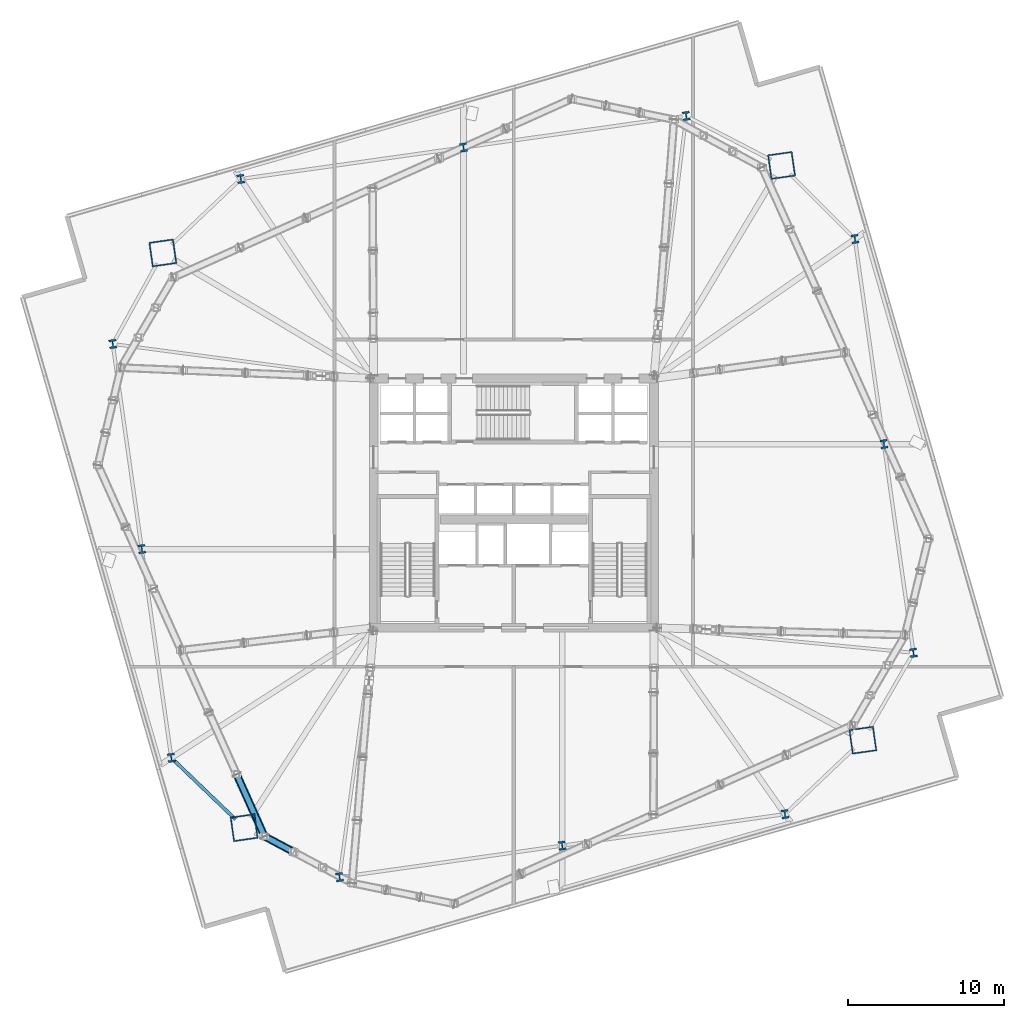
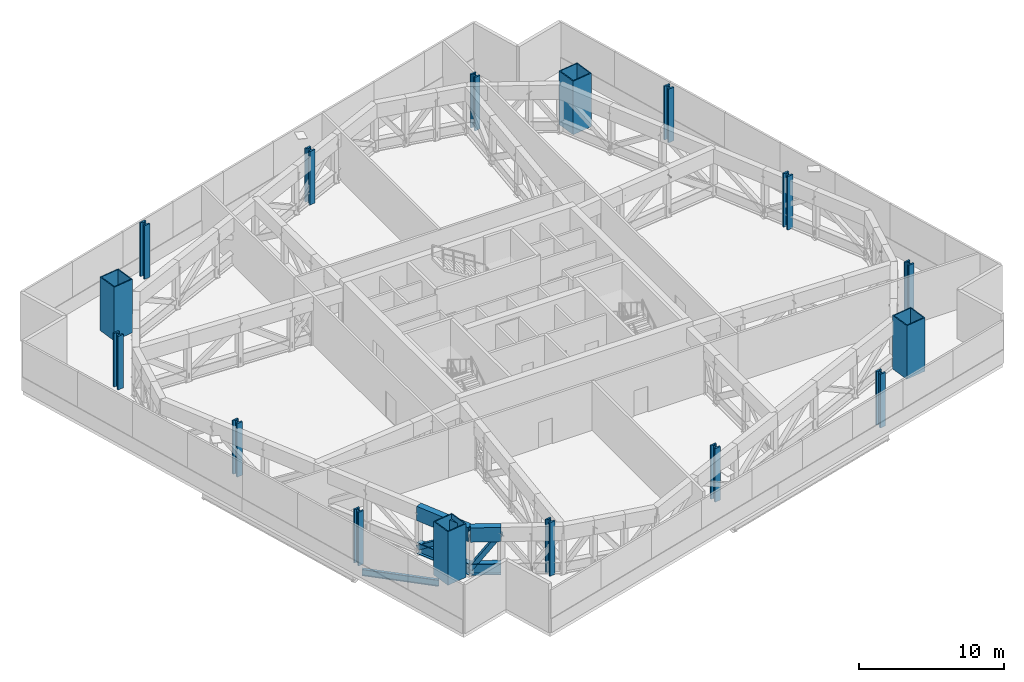
# One storey, part 1 of 19: 16 columns, 6 members, 1 beam.
"""IFC4 building model written with IfcOpenShell, lengths in metres."""

from ifc_helpers import new_model, si_unit, direction, frame, origin, origin_2d, place, context, subcontext, project, spatial, hollow_rectangle, i_section, extrude, material, material_profile, profile_set, type_object, element, save


model = new_model("IFC4")

# Units and contexts
model_context = context("Model", 3, precision=1e-05, world=origin(), true_north=direction((0.0, 1.0)))
body_context = subcontext(model_context, "Body", "Model", "MODEL_VIEW")
ifc_project = project(units=[si_unit("LENGTHUNIT", "METRE"), si_unit("AREAUNIT", "SQUARE_METRE"), si_unit("VOLUMEUNIT", "CUBIC_METRE"), si_unit("PLANEANGLEUNIT", "RADIAN"), si_unit("MASSUNIT", "GRAM", prefix="KILO")], contexts=[model_context])

# Site, building, storey
site_placement = place(None, origin())
site = spatial("IfcSite", under=ifc_project, at=site_placement, CompositionType="ELEMENT")
building_placement = place(site_placement, origin())
building = spatial("IfcBuilding", under=site, at=building_placement, Name="Haldenkirk Collegiate Tower", CompositionType="ELEMENT")
storey_placement = place(building_placement, frame((0.0, 0.0, 81.449951171875)))
storey = spatial("IfcBuildingStorey", under=building, at=storey_placement, Name="L19", CompositionType="ELEMENT", Elevation=81.449951171875)

# Columns
ifc_material_1 = material(Name="Steel ASTM A913 Grade 65", Category="steel")
ifc_material_profile_1 = material_profile(ifc_material_1, i_section(OverallWidth=0.4541015625, OverallDepth=0.569091796875, WebThickness=0.077880859375, FlangeThickness=0.124755859375, at=origin_2d()), Name="W14X730")
ifc_profile_set_1 = profile_set([ifc_material_profile_1], Name="Steel ASTM A913 Grade 65")
column_type_1 = type_object("IfcColumnType", Name="COL-INT-W14X730", PredefinedType="COLUMN", material=ifc_profile_set_1)
for number, where, z_axis, x_axis, name in (
    (1, (24.815185546875, 1.997314453125, 0.0), (0.0, 0.0, 1.0), (0.990146240249, 0.140037219771, 0.0), "L19 perimeter gravity column PC-S1"),
    (2, (39.10888671875, 4.018798828125, 0.0), (0.0, 0.0, 1.0), (0.990146240249, 0.140037219771, 0.0), "L19 perimeter gravity column PC-S2"),
    (3, (53.402587890625, 6.040283203125, 0.0), (0.0, 0.0, 1.0), (0.990146240249, 0.140037219771, 0.0), "L19 perimeter gravity column PC-S3"),
    (4, (61.648193359375, 16.39306640625, 0.0), (0.0, 0.0, 1.0), (0.990146240249, 0.140037219771, 0.0), "L19 perimeter gravity column PC-E1"),
    (5, (59.75341796875, 29.788818359375, 0.0), (0.0, 0.0, 1.0), (0.990146240249, 0.140037219771, 0.0), "L19 perimeter gravity column PC-E2"),
    (6, (57.892333984375, 42.94873046875, 0.0), (0.0, 0.0, 1.0), (0.990146240249, 0.140037219771, 0.0), "L19 perimeter gravity column PC-E3"),
    (7, (47.06591796875, 50.844482421875, 0.0), (0.0, 0.0, 1.0), (0.990146240249, 0.140037219771, 0.0), "L19 perimeter gravity column PC-N1"),
    (8, (32.772216796875, 48.822998046875, 0.0), (0.0, 0.0, 1.0), (0.990146240249, 0.140037219771, 0.0), "L19 perimeter gravity column PC-N2"),
    (9, (18.478515625, 46.80126953125, 0.0), (0.0, 0.0, 1.0), (0.990146240249, 0.140037219771, 0.0), "L19 perimeter gravity column PC-N3"),
    (10, (10.26611328125, 36.212890625, 0.0), (0.0, 0.0, 1.0), (0.990146240249, 0.140037219771, 0.0), "L19 perimeter gravity column PC-W1"),
    (11, (12.12744140625, 23.052978515625, 0.0), (0.0, 0.0, 1.0), (0.990146240249, 0.140037219771, 0.0), "L19 perimeter gravity column PC-W2"),
    (12, (14.02197265625, 9.6572265625, 0.0), (0.0, 0.0, 1.0), (0.990146240249, 0.140037219771, 0.0), "L19 perimeter gravity column PC-W3"),
):
    element("IfcColumn", number, at=place(storey_placement, frame(where, z_axis=z_axis, x_axis=x_axis)), inside=storey, type_object=column_type_1, Name=name, PredefinedType="COLUMN", context=body_context, shape_type="SweptSolid", body=[
        extrude(i_section(OverallWidth=0.4541015625, OverallDepth=0.569091796875, WebThickness=0.077880859375, FlangeThickness=0.124755859375, at=origin_2d()), origin(), (0.0, 0.0, 1.0), 4.5),
    ])
ifc_material_2 = material(Name="Steel ASTM A572 Grade 50", Category="steel")
ifc_material_profile_2 = material_profile(ifc_material_2, hollow_rectangle(XDim=1.60009765625, YDim=1.60009765625, WallThickness=0.080078125, at=origin_2d()), Name="BOX1600X1600X80")
ifc_profile_set_2 = profile_set([ifc_material_profile_2], Name="Steel ASTM A572 Grade 50")
column_type_2 = type_object("IfcColumnType", Name="COL-MEGA-BOX1600X1600X80", PredefinedType="COLUMN", material=ifc_profile_set_2)
for number, where, z_axis, x_axis, name in (
    (13, (18.6962890625, 5.171630859375, 0.0), (0.0, 0.0, 1.0), (0.990146240249, 0.140037219771, 0.0), "L19 corner mega-column MC1"),
    (14, (58.401123046875, 10.787109375, 0.0), (0.0, 0.0, 1.0), (0.990146240249, 0.140037219771, 0.0), "L19 corner mega-column MC2"),
    (15, (53.184814453125, 47.669921875, 0.0), (0.0, 0.0, 1.0), (0.990146240249, 0.140037219771, 0.0), "L19 corner mega-column MC3"),
    (16, (13.47998046875, 42.054443359375, 0.0), (0.0, 0.0, 1.0), (0.990146240249, 0.140037219771, 0.0), "L19 corner mega-column MC4"),
):
    element("IfcColumn", number, at=place(storey_placement, frame(where, z_axis=z_axis, x_axis=x_axis)), inside=storey, type_object=column_type_2, Name=name, PredefinedType="COLUMN", context=body_context, shape_type="SweptSolid", body=[
        extrude(hollow_rectangle(XDim=1.60009765625, YDim=1.60009765625, WallThickness=0.080078125, at=origin_2d()), origin(), (0.0, 0.0, 1.0), 4.5),
    ])

# Beam
ifc_material_3 = material(Name="Steel ASTM A992 Grade 50", Category="steel")
ifc_material_profile_3 = material_profile(ifc_material_3, i_section(OverallWidth=0.2119140625, OverallDepth=0.5439453125, WebThickness=0.01318359375, FlangeThickness=0.021240234375, at=origin_2d()), Name="W21X83")
ifc_profile_set_3 = profile_set([ifc_material_profile_3], Name="Steel ASTM A992 Grade 50")
beam_type = type_object("IfcBeamType", Name="BM-SPANDREL-W21X83", PredefinedType="SPANDREL", material=ifc_profile_set_3)
beam_placement = place(storey_placement, frame((14.212890625, 9.47412109375, -0.681884765625), z_axis=(0.721492362326, -0.692422393561, 0.0), x_axis=(0.692422393561, 0.721492362326, 0.0)))
element("IfcBeam", 17, at=beam_placement, inside=storey, type_object=beam_type, Name="L19 perimeter spandrel beam 16", PredefinedType="SPANDREL", context=body_context, shape_type="SweptSolid", body=[
    extrude(i_section(OverallWidth=0.2119140625, OverallDepth=0.5439453125, WebThickness=0.01318359375, FlangeThickness=0.021240234375, at=origin_2d()), origin(), (0.0, 0.0, 1.0), 5.433837890625),
])

# Members
ifc_material_profile_4 = material_profile(ifc_material_2, hollow_rectangle(XDim=0.5, YDim=1.199951171875, WallThickness=0.050048828125, at=origin_2d()), Name="BOX1200X500X50")
ifc_profile_set_4 = profile_set([ifc_material_profile_4], Name="Steel ASTM A572 Grade 50")
member_type_1 = type_object("IfcMemberType", Name="MBR-CHORD-BOX1200", PredefinedType="CHORD", material=ifc_profile_set_4)
member_1_placement = place(storey_placement, frame((18.21142578125, 8.60107421875, 3.489990234375), z_axis=(0.409112154166, -0.912484106883, 0.0), x_axis=(0.912484106883, 0.409112154166, 0.0)))
element("IfcMember", 18, at=member_1_placement, inside=storey, type_object=member_type_1, Name="Belt Truss L19-15 top chord 3", PredefinedType="CHORD", context=body_context, shape_type="SweptSolid", body=[
    extrude(hollow_rectangle(XDim=0.5, YDim=1.199951171875, WallThickness=0.050048828125, at=origin_2d()), origin(), (0.0, 0.0, 1.0), 4.36181640625),
])
member_2_placement = place(storey_placement, frame((19.995849609375, 4.62109375, 3.489990234375), z_axis=(0.882009094875, -0.471232380634, 0.0), x_axis=(0.471232380634, 0.882009094875, 0.0)))
element("IfcMember", 19, at=member_2_placement, inside=storey, type_object=member_type_1, Name="Belt Truss L19-16 top chord 1", PredefinedType="CHORD", context=body_context, shape_type="SweptSolid", body=[
    extrude(hollow_rectangle(XDim=0.5, YDim=1.199951171875, WallThickness=0.050048828125, at=origin_2d()), origin(), (0.0, 0.0, 1.0), 2.124267578125),
])
ifc_material_profile_5 = material_profile(ifc_material_1, i_section(OverallWidth=0.423095703125, OverallDepth=0.947998046875, WebThickness=0.02392578125, FlangeThickness=0.042724609375, at=origin_2d()), Name="W36X302")
ifc_profile_set_5 = profile_set([ifc_material_profile_5], Name="Steel ASTM A913 Grade 65")
member_type_2 = type_object("IfcMemberType", Name="MBR-CHORD-W36X302", PredefinedType="CHORD", material=ifc_profile_set_5)
member_3_placement = place(storey_placement, frame((18.21142578125, 8.60107421875, 0.550048828125), z_axis=(0.409112154166, -0.912484106883, 0.0), x_axis=(0.912484106883, 0.409112154166, 0.0)))
element("IfcMember", 20, at=member_3_placement, inside=storey, type_object=member_type_2, Name="Belt Truss L19-15 bottom chord 3", PredefinedType="CHORD", context=body_context, shape_type="SweptSolid", body=[
    extrude(i_section(OverallWidth=0.423095703125, OverallDepth=0.947998046875, WebThickness=0.02392578125, FlangeThickness=0.042724609375, at=origin_2d()), origin(), (0.0, 0.0, 1.0), 4.36181640625),
])
member_4_placement = place(storey_placement, frame((19.995849609375, 4.62109375, 0.550048828125), z_axis=(0.882009094875, -0.471232380634, 0.0), x_axis=(0.471232380634, 0.882009094875, 0.0)))
element("IfcMember", 21, at=member_4_placement, inside=storey, type_object=member_type_2, Name="Belt Truss L19-16 bottom chord 1", PredefinedType="CHORD", context=body_context, shape_type="SweptSolid", body=[
    extrude(i_section(OverallWidth=0.423095703125, OverallDepth=0.947998046875, WebThickness=0.02392578125, FlangeThickness=0.042724609375, at=origin_2d()), origin(), (0.0, 0.0, 1.0), 2.124267578125),
])
ifc_material_profile_6 = material_profile(ifc_material_2, hollow_rectangle(XDim=0.35009765625, YDim=0.35009765625, WallThickness=0.01611328125, at=origin_2d()), Name="HSS350X350X16")
ifc_profile_set_6 = profile_set([ifc_material_profile_6], Name="Steel ASTM A572 Grade 50")
member_type_3 = type_object("IfcMemberType", Name="MBR-TRUSSDIAG-HSS350X350X16", PredefinedType="BRACE", material=ifc_profile_set_6)
member_5_placement = place(storey_placement, frame((18.21142578125, 8.60107421875, 0.550048828125), z_axis=(0.339243654435, -0.756649343904, 0.558923530812), x_axis=(0.912484106883, 0.409112154166, 0.0)))
element("IfcMember", 22, at=member_5_placement, inside=storey, type_object=member_type_3, Name="Belt Truss L19-15 web diagonal 3", PredefinedType="BRACE", context=body_context, shape_type="SweptSolid", body=[
    extrude(hollow_rectangle(XDim=0.35009765625, YDim=0.35009765625, WallThickness=0.01611328125, at=origin_2d()), origin(), (0.0, 0.0, 1.0), 5.260009765625),
])
member_6_placement = place(storey_placement, frame((19.995849609375, 4.62109375, 0.550048828125), z_axis=(0.516548078225, -0.275976950837, 0.810564498044), x_axis=(0.471232380634, 0.882009094875, 0.0)))
element("IfcMember", 23, at=member_6_placement, inside=storey, type_object=member_type_3, Name="Belt Truss L19-16 web diagonal 1", PredefinedType="BRACE", context=body_context, shape_type="SweptSolid", body=[
    extrude(hollow_rectangle(XDim=0.35009765625, YDim=0.35009765625, WallThickness=0.01611328125, at=origin_2d()), origin(), (0.0, 0.0, 1.0), 3.626953125),
])

save(model, "model.ifc")
